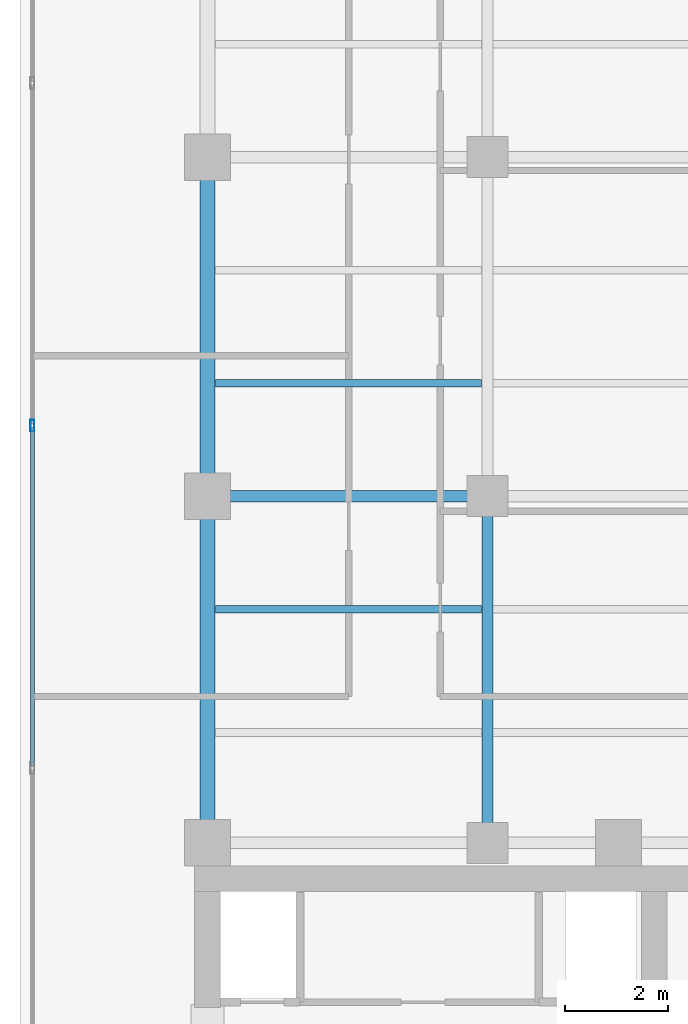
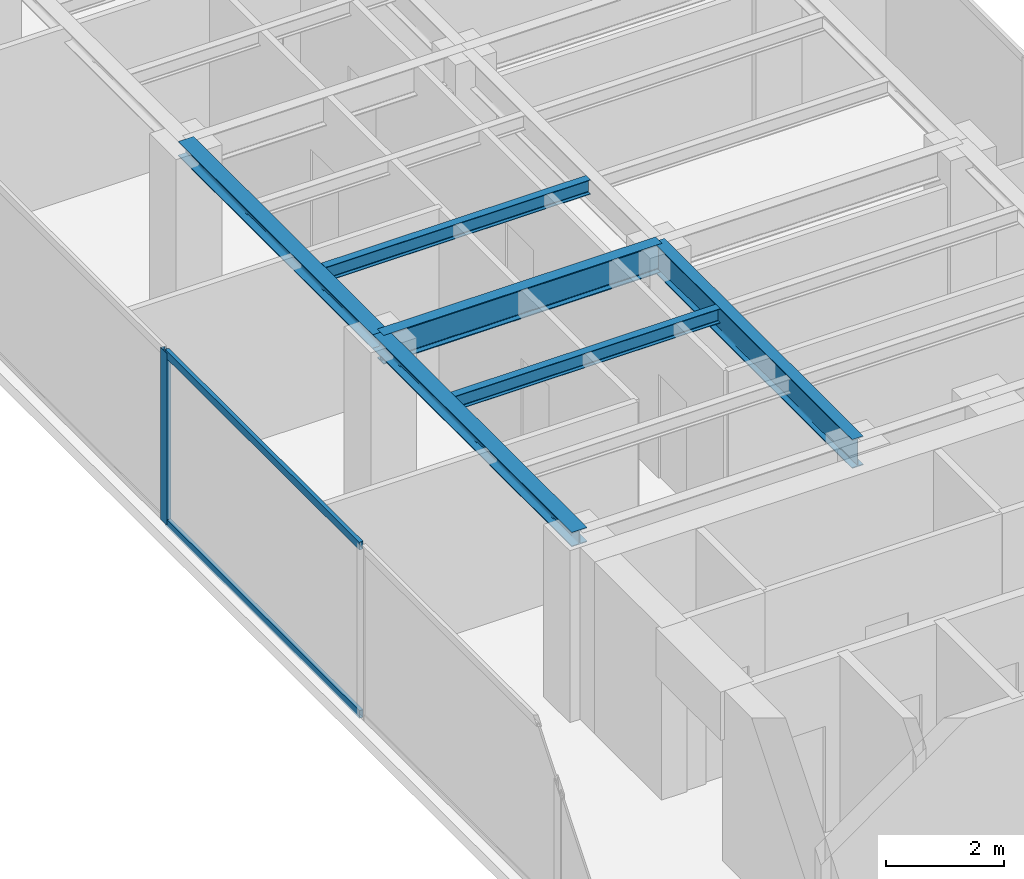
# One storey, part 8 of 22: 6 beams, 3 members, 1 element without a shape of its own.
"""IFC4 building model written with IfcOpenShell, lengths in metres."""

from ifc_helpers import new_model, si_unit, direction, frame, origin, origin_with_axes, origin_2d, place, context, subcontext, project, spatial, hollow_rectangle, i_section, extrude, source, transform, mapped, material, layer, layer_set, material_profile, profile_set, type_object, element, aggregate, save


model = new_model("IFC4")

# Units and contexts
model_context = context("Model", 3, precision=1e-05, world=origin(), true_north=direction((0.0, 1.0)))
body_context = subcontext(model_context, "Body", "Model", "MODEL_VIEW")
ifc_project = project(units=[si_unit("LENGTHUNIT", "METRE"), si_unit("AREAUNIT", "SQUARE_METRE"), si_unit("VOLUMEUNIT", "CUBIC_METRE"), si_unit("PLANEANGLEUNIT", "RADIAN"), si_unit("MASSUNIT", "GRAM", prefix="KILO")], contexts=[model_context])

# Site, building, storey
site_placement = place(None, origin())
site = spatial("IfcSite", under=ifc_project, at=site_placement, CompositionType="ELEMENT")
building_placement = place(site_placement, origin())
building = spatial("IfcBuilding", under=site, at=building_placement, Name="Kolvaren Waterfront Exchange", CompositionType="ELEMENT")
storey_placement = place(building_placement, frame((0.0, 0.0, 323.60009765625)))
storey = spatial("IfcBuildingStorey", under=building, at=storey_placement, Name="L83", CompositionType="ELEMENT", Elevation=323.60009765625)

# Beams
ifc_material_1 = material(Name="Steel S355", Category="steel")
ifc_material_profile_1 = material_profile(ifc_material_1, i_section(OverallWidth=0.300048828125, OverallDepth=0.300048828125, WebThickness=0.010986328125, FlangeThickness=0.01904296875, FilletRadius=0.027099609375, at=origin_2d()), Name="HEB300")
ifc_profile_set_1 = profile_set([ifc_material_profile_1], Name="Steel S355")
beam_type_1 = type_object("IfcBeamType", Name="STR-BM-HEB300", PredefinedType="SPANDREL", material=ifc_profile_set_1)
beam_1_placement = place(storey_placement, frame((7.449951171875, 24.449951171875, 3.409912109375), z_axis=(0.0, 1.0, 0.0), x_axis=(-1.0, 0.0, 0.0)))
element("IfcBeam", 1, at=beam_1_placement, inside=storey, type_object=beam_type_1, Name="L83 north-arm edge beam 1", PredefinedType="SPANDREL", context=body_context, shape_type="SweptSolid", body=[
    extrude(i_section(OverallWidth=0.300048828125, OverallDepth=0.300048828125, WebThickness=0.010986328125, FlangeThickness=0.01904296875, FilletRadius=0.027099609375, at=origin_2d()), origin(), (0.0, 0.0, 1.0), 6.75),
])
beam_2_placement = place(storey_placement, frame((7.449951171875, 31.199951171875, 3.409912109375), z_axis=(0.0, 1.0, 0.0), x_axis=(-1.0, 0.0, 0.0)))
element("IfcBeam", 2, at=beam_2_placement, inside=storey, type_object=beam_type_1, Name="L83 north-arm edge beam 2", PredefinedType="SPANDREL", context=body_context, shape_type="SweptSolid", body=[
    extrude(i_section(OverallWidth=0.300048828125, OverallDepth=0.300048828125, WebThickness=0.010986328125, FlangeThickness=0.01904296875, FilletRadius=0.027099609375, at=origin_2d()), origin(), (0.0, 0.0, 1.0), 6.60009765625),
])
ifc_material_profile_2 = material_profile(ifc_material_1, i_section(OverallWidth=0.14990234375, OverallDepth=0.300048828125, WebThickness=0.007080078125, FlangeThickness=0.0107421875, FilletRadius=0.014892578125, at=origin_2d()), Name="IPE300")
ifc_profile_set_2 = profile_set([ifc_material_profile_2], Name="Steel S355")
beam_type_2 = type_object("IfcBeamType", Name="STR-BM-IPE300", PredefinedType="JOIST", material=ifc_profile_set_2)
for number, where, z_axis, x_axis, name in (
    (3, (7.60205078125, 29.0, 3.409912109375), (1.0, 0.0, 0.0), (0.0, 1.0, 0.0), "L83 north-arm composite joist 2A"),
    (4, (7.60205078125, 33.39990234375, 3.409912109375), (1.0, 0.0, 0.0), (0.0, 1.0, 0.0), "L83 north-arm composite joist 3A"),
):
    element("IfcBeam", number, at=place(storey_placement, frame(where, z_axis=z_axis, x_axis=x_axis)), inside=storey, type_object=beam_type_2, Name=name, PredefinedType="JOIST", context=body_context, shape_type="SweptSolid", body=[
        extrude(i_section(OverallWidth=0.14990234375, OverallDepth=0.300048828125, WebThickness=0.007080078125, FlangeThickness=0.0107421875, FilletRadius=0.014892578125, at=origin_2d()), origin(), (0.0, 0.0, 1.0), 5.18603515625),
    ])
ifc_material_profile_3 = material_profile(ifc_material_1, i_section(OverallWidth=0.219970703125, OverallDepth=0.60009765625, WebThickness=0.011962890625, FlangeThickness=0.01904296875, FilletRadius=0.02392578125, at=origin_2d()), Name="IPE600")
ifc_profile_set_3 = profile_set([ifc_material_profile_3], Name="Steel S355")
beam_type_3 = type_object("IfcBeamType", Name="STR-BM-IPE600", PredefinedType="BEAM", material=ifc_profile_set_3)
beam_3_placement = place(storey_placement, frame((7.449951171875, 31.199951171875, 3.260009765625), z_axis=(1.0, 0.0, 0.0), x_axis=(0.0, 1.0, 0.0)))
element("IfcBeam", 5, at=beam_3_placement, inside=storey, type_object=beam_type_3, Name="L83 north-arm girder 2A", PredefinedType="BEAM", context=body_context, shape_type="SweptSolid", body=[
    extrude(i_section(OverallWidth=0.219970703125, OverallDepth=0.60009765625, WebThickness=0.011962890625, FlangeThickness=0.01904296875, FilletRadius=0.02392578125, at=origin_2d()), origin(), (0.0, 0.0, 1.0), 5.449951171875),
])
beam_4_placement = place(storey_placement, frame((12.89990234375, 24.449951171875, 3.260009765625), z_axis=(0.0, 1.0, 0.0), x_axis=(-1.0, 0.0, 0.0)))
element("IfcBeam", 6, at=beam_4_placement, inside=storey, type_object=beam_type_3, Name="L83 north-arm edge beam 1", PredefinedType="BEAM", context=body_context, shape_type="SweptSolid", body=[
    extrude(i_section(OverallWidth=0.219970703125, OverallDepth=0.60009765625, WebThickness=0.011962890625, FlangeThickness=0.01904296875, FilletRadius=0.02392578125, at=origin_2d()), origin(), (0.0, 0.0, 1.0), 6.75),
])

# Curtain wall, members
ifc_material_2 = material(Name="Anodised aluminium 6063-T6", Category="aluminium")
ifc_layer = layer(ifc_material_2, 0.219970703125, Name="Anodised aluminium 6063-T6")
ifc_layer_set = layer_set([ifc_layer], Name="Anodised aluminium 6063-T6")
curtain_wall_type = type_object("IfcCurtainWallType", Name="ARC-CW-SYS2", PredefinedType="USERDEFINED", material=ifc_layer_set)
curtain_wall_placement = place(storey_placement, origin())
curtain_wall = element("IfcCurtainWall", 7, at=curtain_wall_placement, inside=storey, type_object=curtain_wall_type, Name="L83 stick curtain wall CW2 (CW-L83-W)", ObjectType="STICK CURTAIN WALL", PredefinedType="USERDEFINED")
ifc_material_profile_4 = material_profile(ifc_material_2, hollow_rectangle(XDim=0.080078125, YDim=0.219970703125, WallThickness=0.0048828125, at=origin_2d()), Name="ALU-MUL-220x80x5")
ifc_profile_set_4 = profile_set([ifc_material_profile_4], Name="Anodised aluminium 6063-T6")
member_type_1 = type_object("IfcMemberType", Name="ARC-CWM-220", PredefinedType="MULLION", material=ifc_profile_set_4)
shared_shape_1 = source(origin_with_axes(), body_context, "Body", "SweptSolid", [
    extrude(hollow_rectangle(XDim=0.080078125, YDim=0.219970703125, WallThickness=0.0048828125, at=origin_2d()), origin(), (0.0, 0.0, 1.0), 3.559814453125),
])
member_1_placement = place(storey_placement, frame((4.0400390625, 32.57373046875, 0.0), z_axis=(0.0, 0.0, 1.0), x_axis=(-1.0, 0.0, 0.0)))
member_1 = element("IfcMember", 8, at=member_1_placement, type_object=member_type_1, Name="CW2 mullion 5", PredefinedType="MULLION", context=body_context, shape_type="MappedRepresentation", body=[
    mapped(shared_shape_1, transform((0.0, 0.0, 0.0), x_axis=(1.0, 0.0, 0.0), y_axis=(0.0, 1.0, 0.0), z_axis=(0.0, 0.0, 1.0), scale=1.0)),
])
ifc_material_profile_5 = material_profile(ifc_material_2, hollow_rectangle(XDim=0.074951171875, YDim=0.159912109375, WallThickness=0.00439453125, at=origin_2d()), Name="ALU-TRN-160x75x4.5")
ifc_profile_set_5 = profile_set([ifc_material_profile_5], Name="Anodised aluminium 6063-T6")
member_type_2 = type_object("IfcMemberType", Name="ARC-CWT-160", PredefinedType="USERDEFINED", material=ifc_profile_set_5)
shared_shape_2 = source(origin_with_axes(), body_context, "Body", "SweptSolid", [
    extrude(hollow_rectangle(XDim=0.074951171875, YDim=0.159912109375, WallThickness=0.00439453125, at=origin_2d()), origin(), (0.0, 0.0, 1.0), 6.58837890625),
])
member_2_placement = place(storey_placement, frame((4.0400390625, 25.9453125, 0.037353515625), z_axis=(0.0, 1.0, 0.0), x_axis=(-1.0, 0.0, 0.0)))
member_2 = element("IfcMember", 9, at=member_2_placement, type_object=member_type_2, Name="CW2 transom 4.1", ObjectType="TRANSOM", PredefinedType="USERDEFINED", context=body_context, shape_type="MappedRepresentation", body=[
    mapped(shared_shape_2, transform((0.0, 0.0, 0.0), x_axis=(1.0, 0.0, 0.0), y_axis=(0.0, 1.0, 0.0), z_axis=(0.0, 0.0, 1.0), scale=1.0)),
])
member_3_placement = place(storey_placement, frame((4.0400390625, 25.9453125, 3.5224609375), z_axis=(0.0, 1.0, 0.0), x_axis=(-1.0, 0.0, 0.0)))
member_3 = element("IfcMember", 10, at=member_3_placement, type_object=member_type_2, Name="CW2 transom 4.2", ObjectType="TRANSOM", PredefinedType="USERDEFINED", context=body_context, shape_type="MappedRepresentation", body=[
    mapped(shared_shape_2, transform((0.0, 0.0, 0.0), x_axis=(1.0, 0.0, 0.0), y_axis=(0.0, 1.0, 0.0), z_axis=(0.0, 0.0, 1.0), scale=1.0)),
])
aggregate(curtain_wall, [member_1, member_2, member_3])

save(model, "model.ifc")
